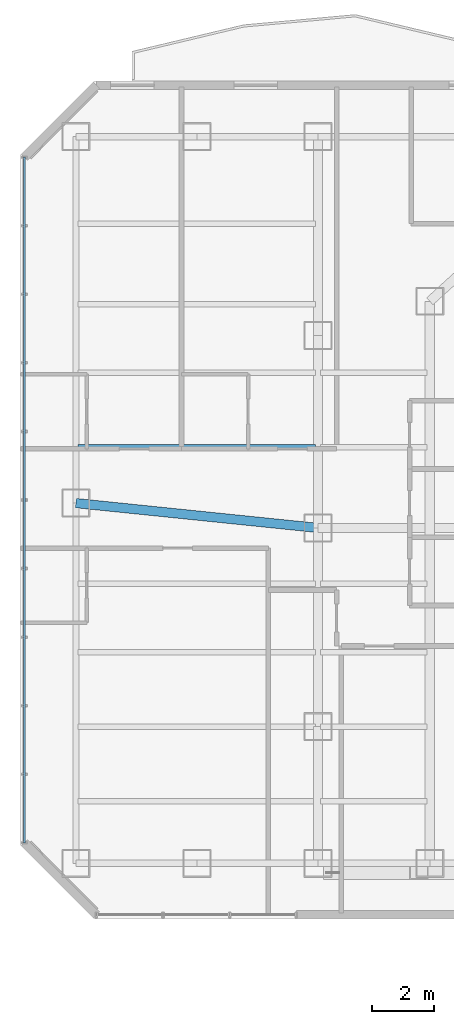
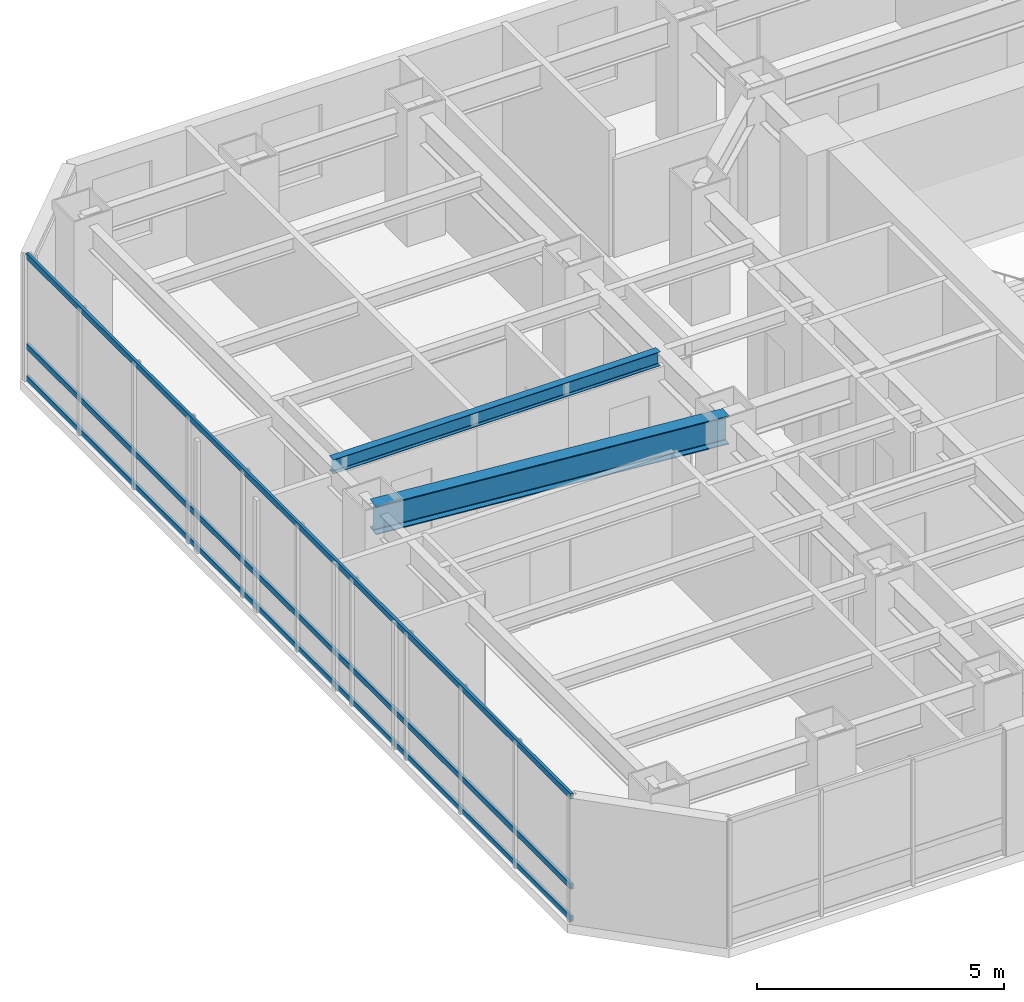
# One storey, part 14 of 30: 3 members, 2 beams, 1 element without a shape of its own.
"""IFC4 building model written with IfcOpenShell, lengths in metres."""

from ifc_helpers import new_model, si_unit, direction, frame, origin, origin_2d, place, context, subcontext, project, spatial, hollow_rectangle, i_section, extrude, material, layer, layer_set, material_profile, profile_set, type_object, element, aggregate, save


model = new_model("IFC4")

# Units and contexts
model_context = context("Model", 3, precision=1e-05, world=origin(), true_north=direction((0.0, 1.0)))
body_context = subcontext(model_context, "Body", "Model", "MODEL_VIEW")
ifc_project = project(units=[si_unit("LENGTHUNIT", "METRE"), si_unit("AREAUNIT", "SQUARE_METRE"), si_unit("VOLUMEUNIT", "CUBIC_METRE"), si_unit("PLANEANGLEUNIT", "RADIAN"), si_unit("MASSUNIT", "GRAM", prefix="KILO")], contexts=[model_context])

# Site, building, storey
site_placement = place(None, origin())
site = spatial("IfcSite", under=ifc_project, at=site_placement, CompositionType="ELEMENT")
building_placement = place(site_placement, origin())
building = spatial("IfcBuilding", under=site, at=building_placement, Name="Hatsunagi Terrace Concourse", CompositionType="ELEMENT")
storey_placement = place(building_placement, frame((0.0, 0.0, 74.60009765625)))
storey = spatial("IfcBuildingStorey", under=building, at=storey_placement, Name="L19", CompositionType="ELEMENT", Elevation=74.60009765625)

# Curtain wall, members
ifc_material_1 = material(Name="Anodised Aluminium Alloy 6063-T5", Category="aluminium")
ifc_layer = layer(ifc_material_1, 0.199951171875)
ifc_layer_set = layer_set([ifc_layer], Name="HotelFacade_CW02")
curtain_wall_type = type_object("IfcCurtainWallType", Name="HotelFacade_CW02", PredefinedType="NOTDEFINED", material=ifc_layer_set)
curtain_wall_placement = place(storey_placement, origin())
curtain_wall = element("IfcCurtainWall", 1, at=curtain_wall_placement, inside=storey, type_object=curtain_wall_type, Name="Unitised Curtain Wall CW-02 CW-L19-09", PredefinedType="NOTDEFINED")
ifc_material_2 = material(Name="Anodised Aluminium Alloy 6063-T5", Category="aluminium")
ifc_material_profile_1 = material_profile(ifc_material_2, hollow_rectangle(XDim=0.06494140625, YDim=0.139892578125, WallThickness=0.00390625, at=origin_2d()), Name="ALU-TRN-140x65x4")
ifc_profile_set_1 = profile_set([ifc_material_profile_1], Name="Anodised Aluminium Alloy 6063-T5")
member_type = type_object("IfcMemberType", Name="CurtainWallTransom_140x65", PredefinedType="USERDEFINED", material=ifc_profile_set_1)
member_1_placement = place(storey_placement, frame((9.739990234375, 25.85791015625, 0.0498046875), z_axis=(0.0, 1.0, 0.0), x_axis=(-1.0, 0.0, 0.0)))
member_1 = element("IfcMember", 2, at=member_1_placement, type_object=member_type, Name="Curtain Wall Transom TRN-02", ObjectType="TRANSOM", PredefinedType="USERDEFINED", context=body_context, shape_type="SweptSolid", body=[
    extrude(hollow_rectangle(XDim=0.06494140625, YDim=0.139892578125, WallThickness=0.00390625, at=origin_2d()), origin(), (0.0, 0.0, 1.0), 22.083984375),
])
member_2_placement = place(storey_placement, frame((9.739990234375, 25.85791015625, 0.849853515625), z_axis=(0.0, 1.0, 0.0), x_axis=(-1.0, 0.0, 0.0)))
member_2 = element("IfcMember", 3, at=member_2_placement, type_object=member_type, Name="Curtain Wall Transom TRN-02", ObjectType="TRANSOM", PredefinedType="USERDEFINED", context=body_context, shape_type="SweptSolid", body=[
    extrude(hollow_rectangle(XDim=0.06494140625, YDim=0.139892578125, WallThickness=0.00390625, at=origin_2d()), origin(), (0.0, 0.0, 1.0), 22.083984375),
])
member_3_placement = place(storey_placement, frame((9.739990234375, 25.85791015625, 3.079833984375), z_axis=(0.0, 1.0, 0.0), x_axis=(-1.0, 0.0, 0.0)))
member_3 = element("IfcMember", 4, at=member_3_placement, type_object=member_type, Name="Curtain Wall Transom TRN-02", ObjectType="TRANSOM", PredefinedType="USERDEFINED", context=body_context, shape_type="SweptSolid", body=[
    extrude(hollow_rectangle(XDim=0.06494140625, YDim=0.139892578125, WallThickness=0.00390625, at=origin_2d()), origin(), (0.0, 0.0, 1.0), 22.083984375),
])
aggregate(curtain_wall, [member_1, member_2, member_3])

# Beams
ifc_material_3 = material(Name="Steel SN490B", Category="steel")
ifc_material_profile_2 = material_profile(ifc_material_3, i_section(OverallWidth=0.300048828125, OverallDepth=0.699951171875, WebThickness=0.012939453125, FlangeThickness=0.02392578125, FilletRadius=0.02197265625, at=origin_2d()), Name="H-700x300x13x24")
ifc_profile_set_2 = profile_set([ifc_material_profile_2], Name="Steel SN490B")
beam_type_1 = type_object("IfcBeamType", Name="HotelFloorGirder_H_700x300", PredefinedType="BEAM", material=ifc_profile_set_2)
beam_1_placement = place(storey_placement, frame((11.39990234375, 36.800048828125, 2.77978515625), z_axis=(0.994780871372, -0.102034395927, 0.0), x_axis=(0.102034395927, 0.994780871372, 0.0)))
element("IfcBeam", 5, at=beam_1_placement, inside=storey, type_object=beam_type_1, Name="Beam G-04 BM-L19-EW-2", PredefinedType="BEAM", context=body_context, shape_type="SweptSolid", body=[
    extrude(i_section(OverallWidth=0.300048828125, OverallDepth=0.699951171875, WebThickness=0.012939453125, FlangeThickness=0.02392578125, FilletRadius=0.02197265625, at=origin_2d()), origin(), (0.0, 0.0, 1.0), 7.841064453125),
])
ifc_material_4 = material(Name="Steel SN490B", Category="steel")
ifc_material_profile_3 = material_profile(ifc_material_4, i_section(OverallWidth=0.175048828125, OverallDepth=0.35009765625, WebThickness=0.007080078125, FlangeThickness=0.010986328125, FilletRadius=0.012939453125, at=origin_2d()), Name="H-350x175x7x11")
ifc_profile_set_3 = profile_set([ifc_material_profile_3], Name="Steel SN490B")
beam_type_2 = type_object("IfcBeamType", Name="HotelJoist_H_350x175", PredefinedType="JOIST", material=ifc_profile_set_3)
beam_2_placement = place(storey_placement, frame((11.465087890625, 38.60009765625, 2.954833984375), z_axis=(1.0, 0.0, 0.0), x_axis=(0.0, 1.0, 0.0)))
element("IfcBeam", 6, at=beam_2_placement, inside=storey, type_object=beam_type_2, Name="Beam J-02 J-L19-W-11-386", PredefinedType="JOIST", context=body_context, shape_type="SweptSolid", body=[
    extrude(i_section(OverallWidth=0.175048828125, OverallDepth=0.35009765625, WebThickness=0.007080078125, FlangeThickness=0.010986328125, FilletRadius=0.012939453125, at=origin_2d()), origin(), (0.0, 0.0, 1.0), 7.64990234375),
])

save(model, "model.ifc")
